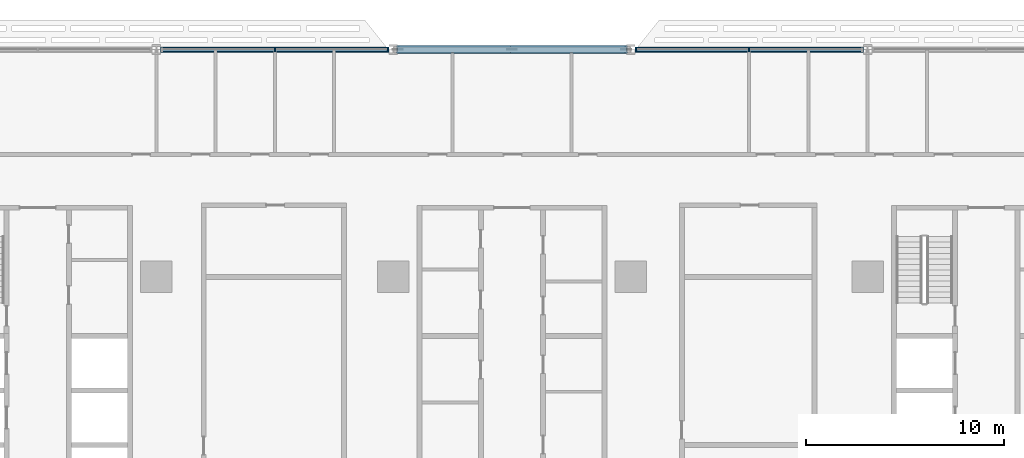
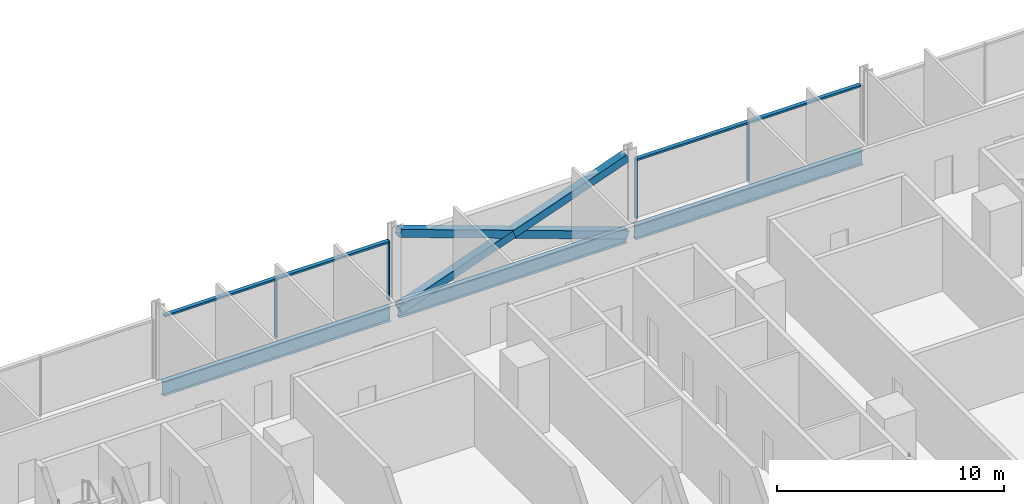
# One storey, part 6 of 27: 11 members, 3 beams, 2 elements without a shape of their own.
"""IFC4 building model written with IfcOpenShell, lengths in metres."""

from ifc_helpers import new_model, si_unit, direction, frame, origin, origin_2d, place, context, subcontext, project, spatial, rectangle, hollow_rectangle, i_section, extrude, material, material_profile, profile_set, type_object, element, aggregate, save


model = new_model("IFC4")

# Units and contexts
model_context = context("Model", 3, precision=1e-05, world=origin(), true_north=direction((0.0, 1.0)))
body_context = subcontext(model_context, "Body", "Model", "MODEL_VIEW")
ifc_project = project(units=[si_unit("LENGTHUNIT", "METRE"), si_unit("AREAUNIT", "SQUARE_METRE"), si_unit("VOLUMEUNIT", "CUBIC_METRE"), si_unit("PLANEANGLEUNIT", "RADIAN"), si_unit("MASSUNIT", "GRAM", prefix="KILO")], contexts=[model_context])

# Site, building, storey
site_placement = place(None, origin())
site = spatial("IfcSite", under=ifc_project, at=site_placement, CompositionType="ELEMENT")
building_placement = place(site_placement, origin())
building = spatial("IfcBuilding", under=site, at=building_placement, Name="Mahtab Terrace Research Tower", CompositionType="ELEMENT")
storey_placement = place(building_placement, frame((0.0, 0.0, 28.699951171875)))
storey = spatial("IfcBuildingStorey", under=building, at=storey_placement, Name="L06", CompositionType="ELEMENT", Elevation=28.699951171875)

# Members
ifc_material_1 = material(Name="Steel ASTM A500 Gr C", Category="steel")
ifc_material_profile_1 = material_profile(ifc_material_1, hollow_rectangle(XDim=0.406494140625, YDim=0.406494140625, WallThickness=0.01904296875, at=origin_2d()), Name="HSS16X16X3/4")
ifc_profile_set_1 = profile_set([ifc_material_profile_1], Name="Steel ASTM A500 Gr C")
member_type_1 = type_object("IfcMemberType", Name="HSS 16x16x3/4 brace XB161634", PredefinedType="BRACE", material=ifc_profile_set_1)
member_1_placement = place(storey_placement, frame((5.7841796875, 23.0, -0.64111328125), z_axis=(-0.941388097231, 0.0, 0.337325436917), x_axis=(0.0, -1.0, 0.0)))
element("IfcMember", 1, at=member_1_placement, inside=storey, type_object=member_type_1, Name="Exoskeleton brace L06 04 a", PredefinedType="BRACE", context=body_context, shape_type="SweptSolid", body=[
    extrude(hollow_rectangle(XDim=0.406494140625, YDim=0.406494140625, WallThickness=0.01904296875, at=origin_2d()), origin(), (0.0, 0.0, 1.0), 12.28857421875),
])
for number, where, z_axis, x_axis, name in (
    (2, (-5.7841796875, 23.0, -0.64111328125), (0.941381788192, 0.0, 0.337343043295), (0.0, 1.0, 0.0), "Exoskeleton brace L06 04 b1"),
    (3, (0.0, 23.0, 1.431640625), (0.941394406025, 0.0, 0.337307830185), (0.0, 1.0, 0.0), "Exoskeleton brace L06 04 b2"),
):
    element("IfcMember", number, at=place(storey_placement, frame(where, z_axis=z_axis, x_axis=x_axis)), inside=storey, type_object=member_type_1, Name=name, PredefinedType="BRACE", context=body_context, shape_type="SweptSolid", body=[
        extrude(hollow_rectangle(XDim=0.406494140625, YDim=0.406494140625, WallThickness=0.01904296875, at=origin_2d()), origin(), (0.0, 0.0, 1.0), 6.144287109375),
    ])

# Curtain wall, members
ifc_material_2 = material(Name="Laboratory ribbon curtain wall")
curtain_wall_type = type_object("IfcCurtainWallType", Name="Laboratory ribbon curtain wall", PredefinedType="NOTDEFINED", material=ifc_material_2)
curtain_wall_1_placement = place(storey_placement, origin())
curtain_wall_1 = element("IfcCurtainWall", 4, at=curtain_wall_1_placement, inside=storey, type_object=curtain_wall_type, Name="EN.L06.3.5", PredefinedType="NOTDEFINED")
ifc_material_3 = material(Name="Natural anodised aluminium", Category="aluminium")
ifc_material_profile_2 = material_profile(ifc_material_3, rectangle(XDim=0.199951171875, YDim=0.06494140625, at=origin_2d()), Name="MULLION 65x200")
ifc_profile_set_2 = profile_set([ifc_material_profile_2], Name="Natural anodised aluminium")
member_type_2 = type_object("IfcMemberType", Name="Laboratory ribbon curtain wall mullion", PredefinedType="MULLION", material=ifc_profile_set_2)
member_2_placement = place(storey_placement, frame((12.0, 23.0, 0.0), z_axis=(0.0, 0.0, 1.0), x_axis=(0.0, -1.0, 0.0)))
member_2 = element("IfcMember", 5, at=member_2_placement, type_object=member_type_2, Name="CWL-1 mullion 2", PredefinedType="MULLION", context=body_context, shape_type="SweptSolid", body=[
    extrude(rectangle(XDim=0.199951171875, YDim=0.06494140625, at=origin_2d()), origin(), (0.0, 0.0, 1.0), 3.203125),
])
member_3_placement = place(storey_placement, frame((6.281494140625, 23.0, 0.0), z_axis=(0.0, 0.0, 1.0), x_axis=(0.0, -1.0, 0.0)))
member_3 = element("IfcMember", 6, at=member_3_placement, type_object=member_type_2, Name="CWL-1 mullion 3", PredefinedType="MULLION", context=body_context, shape_type="SweptSolid", body=[
    extrude(rectangle(XDim=0.199951171875, YDim=0.06494140625, at=origin_2d()), origin(), (0.0, 0.0, 1.0), 3.203125),
])

curtain_wall_2_placement = place(storey_placement, origin())
curtain_wall_2 = element("IfcCurtainWall", 7, at=curtain_wall_2_placement, inside=storey, type_object=curtain_wall_type, Name="EN.L06.3.7", PredefinedType="NOTDEFINED")
member_4_placement = place(storey_placement, frame((-6.281494140625, 23.0, 0.0), z_axis=(0.0, 0.0, 1.0), x_axis=(0.0, -1.0, 0.0)))
member_4 = element("IfcMember", 8, at=member_4_placement, type_object=member_type_2, Name="CWL-1 mullion 1", PredefinedType="MULLION", context=body_context, shape_type="SweptSolid", body=[
    extrude(rectangle(XDim=0.199951171875, YDim=0.06494140625, at=origin_2d()), origin(), (0.0, 0.0, 1.0), 3.203125),
])
member_5_placement = place(storey_placement, frame((-12.0, 23.0, 0.0), z_axis=(0.0, 0.0, 1.0), x_axis=(0.0, -1.0, 0.0)))
member_5 = element("IfcMember", 9, at=member_5_placement, type_object=member_type_2, Name="CWL-1 mullion 2", PredefinedType="MULLION", context=body_context, shape_type="SweptSolid", body=[
    extrude(rectangle(XDim=0.199951171875, YDim=0.06494140625, at=origin_2d()), origin(), (0.0, 0.0, 1.0), 3.203125),
])

# Member
ifc_material_profile_3 = material_profile(ifc_material_3, rectangle(XDim=0.199951171875, YDim=0.10009765625, at=origin_2d()), Name="TRANSOM 100x200")
ifc_profile_set_3 = profile_set([ifc_material_profile_3], Name="Natural anodised aluminium")
member_type_3 = type_object("IfcMemberType", Name="Laboratory ribbon curtain wall transom", PredefinedType="USERDEFINED", material=ifc_profile_set_3)
member_6_placement = place(storey_placement, frame((17.68603515625, 23.0, 3.153076171875), z_axis=(-1.0, 0.0, 0.0), x_axis=(0.0, -1.0, 0.0)))
member_6 = element("IfcMember", 10, at=member_6_placement, type_object=member_type_3, Name="CWL-1 transom 1", ObjectType="TRANSOM", PredefinedType="USERDEFINED", context=body_context, shape_type="SweptSolid", body=[
    extrude(rectangle(XDim=0.199951171875, YDim=0.10009765625, at=origin_2d()), origin(), (0.0, 0.0, 1.0), 5.653564453125),
])

member_7_placement = place(storey_placement, frame((11.967529296875, 23.0, 3.153076171875), z_axis=(-1.0, 0.0, 0.0), x_axis=(0.0, -1.0, 0.0)))
member_7 = element("IfcMember", 11, at=member_7_placement, type_object=member_type_3, Name="CWL-1 transom 2", ObjectType="TRANSOM", PredefinedType="USERDEFINED", context=body_context, shape_type="SweptSolid", body=[
    extrude(rectangle(XDim=0.199951171875, YDim=0.10009765625, at=origin_2d()), origin(), (0.0, 0.0, 1.0), 5.653564453125),
])

aggregate(curtain_wall_1, [member_2, member_3, member_6, member_7])

member_8_placement = place(storey_placement, frame((-6.31396484375, 23.0, 3.153076171875), z_axis=(-1.0, 0.0, 0.0), x_axis=(0.0, -1.0, 0.0)))
member_8 = element("IfcMember", 12, at=member_8_placement, type_object=member_type_3, Name="CWL-1 transom 1", ObjectType="TRANSOM", PredefinedType="USERDEFINED", context=body_context, shape_type="SweptSolid", body=[
    extrude(rectangle(XDim=0.199951171875, YDim=0.10009765625, at=origin_2d()), origin(), (0.0, 0.0, 1.0), 5.653564453125),
])

member_9_placement = place(storey_placement, frame((-12.032470703125, 23.0, 3.153076171875), z_axis=(-1.0, 0.0, 0.0), x_axis=(0.0, -1.0, 0.0)))
member_9 = element("IfcMember", 13, at=member_9_placement, type_object=member_type_3, Name="CWL-1 transom 2", ObjectType="TRANSOM", PredefinedType="USERDEFINED", context=body_context, shape_type="SweptSolid", body=[
    extrude(rectangle(XDim=0.199951171875, YDim=0.10009765625, at=origin_2d()), origin(), (0.0, 0.0, 1.0), 5.653564453125),
])

aggregate(curtain_wall_2, [member_4, member_5, member_8, member_9])

# Beams
ifc_material_4 = material(Name="Steel ASTM A992 Gr 50", Category="steel")
ifc_material_profile_4 = material_profile(ifc_material_4, i_section(OverallWidth=0.2666015625, OverallDepth=0.7568359375, WebThickness=0.013916015625, FlangeThickness=0.019287109375, at=origin_2d()), Name="W30X108")
ifc_profile_set_4 = profile_set([ifc_material_profile_4], Name="Steel ASTM A992 Gr 50")
beam_type = type_object("IfcBeamType", Name="W30x108 beam BS30108", PredefinedType="BEAM", material=ifc_profile_set_4)
for number, where, z_axis, x_axis, name in (
    (14, (17.7841796875, 23.0, -0.718505859375), (-1.0, 0.0, 0.0), (0.0, -1.0, 0.0), "Spandrel beam L06 03"),
    (15, (5.7841796875, 23.0, -0.718505859375), (-1.0, 0.0, 0.0), (0.0, -1.0, 0.0), "Spandrel beam L06 04"),
    (16, (-6.2158203125, 23.0, -0.718505859375), (-1.0, 0.0, 0.0), (0.0, -1.0, 0.0), "Spandrel beam L06 05"),
):
    element("IfcBeam", number, at=place(storey_placement, frame(where, z_axis=z_axis, x_axis=x_axis)), inside=storey, type_object=beam_type, Name=name, PredefinedType="BEAM", context=body_context, shape_type="SweptSolid", body=[
        extrude(i_section(OverallWidth=0.2666015625, OverallDepth=0.7568359375, WebThickness=0.013916015625, FlangeThickness=0.019287109375, at=origin_2d()), origin(), (0.0, 0.0, 1.0), 11.568359375),
    ])

save(model, "model.ifc")
